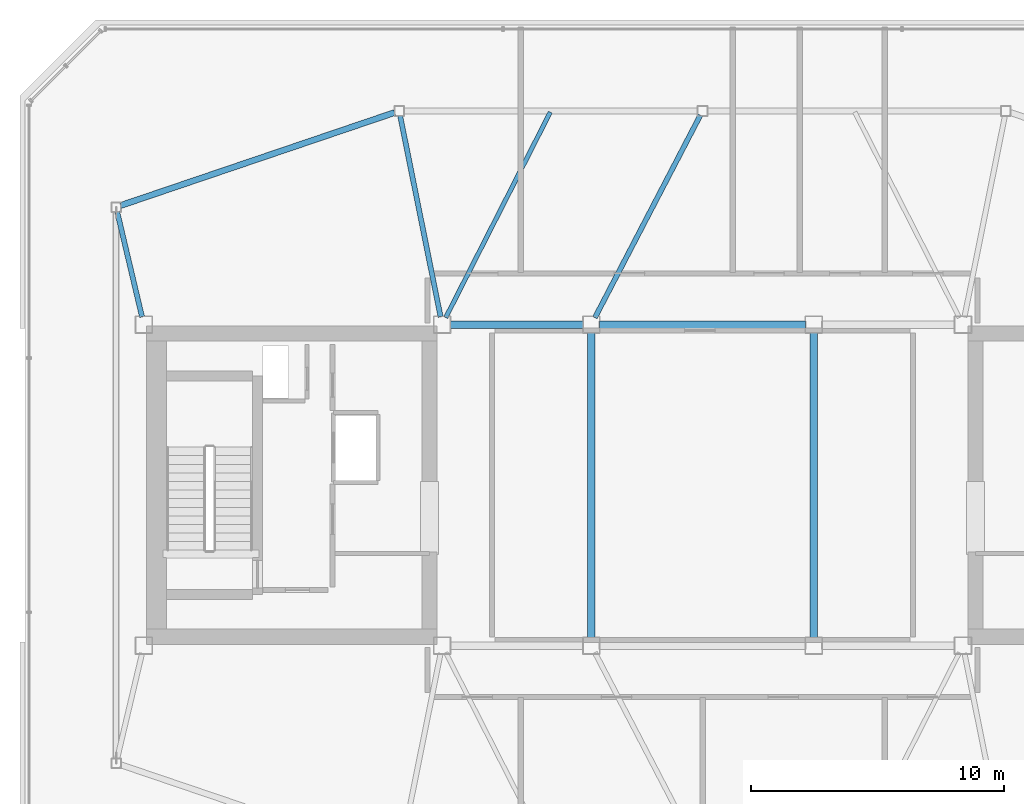
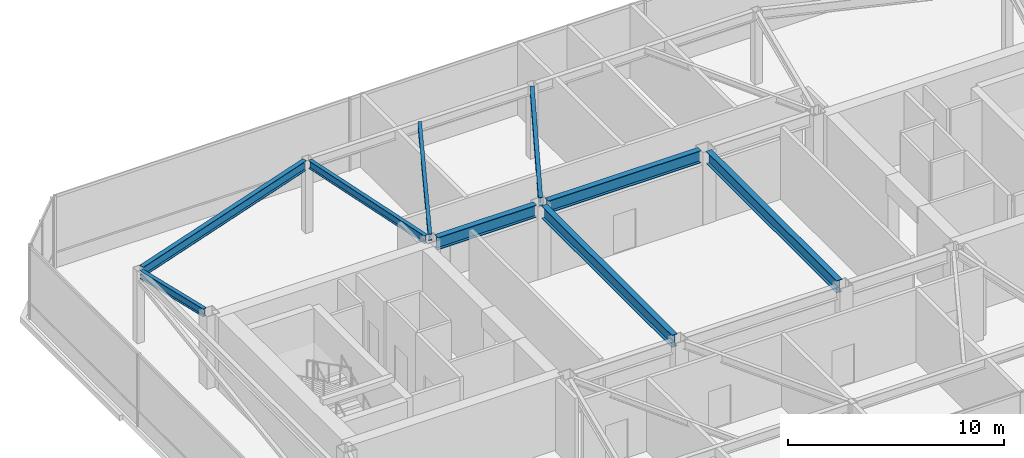
# One storey, part 7 of 22: 9 beams.
"""IFC4 building model written with IfcOpenShell, lengths in metres."""

from ifc_helpers import new_model, si_unit, direction, frame, origin, origin_2d, place, context, subcontext, project, spatial, i_section, extrude, material, material_profile, profile_set, type_object, element, save


model = new_model("IFC4")

# Units and contexts
model_context = context("Model", 3, precision=1e-05, world=origin(), true_north=direction((0.0, 1.0)))
body_context = subcontext(model_context, "Body", "Model", "MODEL_VIEW")
ifc_project = project(units=[si_unit("LENGTHUNIT", "METRE"), si_unit("AREAUNIT", "SQUARE_METRE"), si_unit("VOLUMEUNIT", "CUBIC_METRE"), si_unit("PLANEANGLEUNIT", "RADIAN"), si_unit("MASSUNIT", "GRAM", prefix="KILO")], contexts=[model_context])

# Site, building, storey
site_placement = place(None, origin())
site = spatial("IfcSite", under=ifc_project, at=site_placement, CompositionType="ELEMENT")
building_placement = place(site_placement, origin())
building = spatial("IfcBuilding", under=site, at=building_placement, Name="Tavrogorsk Clinical Tower", CompositionType="ELEMENT")
storey_placement = place(building_placement, frame((0.0, 0.0, 339.800048828125)))
storey = spatial("IfcBuildingStorey", under=building, at=storey_placement, Name="L79", CompositionType="ELEMENT", Elevation=339.800048828125)

# Beams
ifc_material_1 = material(Name="Structural steel S355", Category="steel")
ifc_material_profile_1 = material_profile(ifc_material_1, i_section(OverallWidth=0.199951171875, OverallDepth=0.449951171875, WebThickness=0.011474609375, FlangeThickness=0.01806640625, at=origin_2d()), Name="B-450x200x11.5x18")
ifc_profile_set_1 = profile_set([ifc_material_profile_1], Name="Structural steel S355")
beam_type_1 = type_object("IfcBeamType", Name="FloorBeam_B450", PredefinedType="BEAM", material=ifc_profile_set_1)
beam_1_placement = place(storey_placement, frame((-4.2568359375, 6.625, 3.875), z_axis=(0.461855081218, 0.886955401332, 0.0), x_axis=(-0.886955401332, 0.461855081218, 0.0)))
element("IfcBeam", 1, at=beam_1_placement, inside=storey, type_object=beam_type_1, Name="L79 Crown Radial Beam 07", PredefinedType="BEAM", context=body_context, shape_type="SweptSolid", body=[
    extrude(i_section(OverallWidth=0.199951171875, OverallDepth=0.449951171875, WebThickness=0.011474609375, FlangeThickness=0.01806640625, at=origin_2d()), origin(), (0.0, 0.0, 1.0), 9.027099609375),
])
beam_2_placement = place(storey_placement, frame((-10.361083984375, 6.65380859375, 3.875), z_axis=(-0.197249355273, 0.980353350504, 0.0), x_axis=(-0.980353350504, -0.197249355273, 0.0)))
element("IfcBeam", 2, at=beam_2_placement, inside=storey, type_object=beam_type_1, Name="L79 Crown Radial Beam 08", PredefinedType="BEAM", context=body_context, shape_type="SweptSolid", body=[
    extrude(i_section(OverallWidth=0.199951171875, OverallDepth=0.449951171875, WebThickness=0.011474609375, FlangeThickness=0.01806640625, at=origin_2d()), origin(), (0.0, 0.0, 1.0), 8.119384765625),
])
beam_3_placement = place(storey_placement, frame((-22.17138671875, 6.651611328125, 3.875), z_axis=(-0.230190528398, 0.973145580392, 0.0), x_axis=(-0.973145580392, -0.230190528398, 0.0)))
element("IfcBeam", 3, at=beam_3_placement, inside=storey, type_object=beam_type_1, Name="L79 Crown Radial Beam 09", PredefinedType="BEAM", context=body_context, shape_type="SweptSolid", body=[
    extrude(i_section(OverallWidth=0.199951171875, OverallDepth=0.449951171875, WebThickness=0.011474609375, FlangeThickness=0.01806640625, at=origin_2d()), origin(), (0.0, 0.0, 1.0), 4.278564453125),
])
ifc_material_2 = material(Name="Structural steel S390", Category="steel")
ifc_material_profile_2 = material_profile(ifc_material_2, i_section(OverallWidth=0.300048828125, OverallDepth=0.699951171875, WebThickness=0.01708984375, FlangeThickness=0.028076171875, at=origin_2d()), Name="B-700x300x17x28")
ifc_profile_set_2 = profile_set([ifc_material_profile_2], Name="Structural steel S390")
beam_type_2 = type_object("IfcBeamType", Name="PrimaryGirder_B700", PredefinedType="USERDEFINED", material=ifc_profile_set_2)
beam_4_placement = place(storey_placement, frame((-9.989990234375, 6.35009765625, 3.75), z_axis=(1.0, 0.0, 0.0), x_axis=(0.0, 1.0, 0.0)))
element("IfcBeam", 4, at=beam_4_placement, inside=storey, type_object=beam_type_2, Name="L79 Primary Spine Girder MG-02", ObjectType="GIRDER", PredefinedType="USERDEFINED", context=body_context, shape_type="SweptSolid", body=[
    extrude(i_section(OverallWidth=0.300048828125, OverallDepth=0.699951171875, WebThickness=0.01708984375, FlangeThickness=0.028076171875, at=origin_2d()), origin(), (0.0, 0.0, 1.0), 5.280029296875),
])
beam_5_placement = place(storey_placement, frame((-4.090087890625, 6.35009765625, 3.75), z_axis=(1.0, 0.0, 0.0), x_axis=(0.0, 1.0, 0.0)))
element("IfcBeam", 5, at=beam_5_placement, inside=storey, type_object=beam_type_2, Name="L79 Primary Spine Girder MG-04", ObjectType="GIRDER", PredefinedType="USERDEFINED", context=body_context, shape_type="SweptSolid", body=[
    extrude(i_section(OverallWidth=0.300048828125, OverallDepth=0.699951171875, WebThickness=0.01708984375, FlangeThickness=0.028076171875, at=origin_2d()), origin(), (0.0, 0.0, 1.0), 8.18017578125),
])
for number, where, z_axis, x_axis, name in (
    (6, (-4.39990234375, -6.0400390625, 3.75), (0.0, 1.0, 0.0), (-1.0, 0.0, 0.0), "L79 Primary Spine Girder MG-07"),
    (7, (4.39990234375, -6.0400390625, 3.75), (0.0, 1.0, 0.0), (-1.0, 0.0, 0.0), "L79 Primary Spine Girder MG-08"),
):
    element("IfcBeam", number, at=place(storey_placement, frame(where, z_axis=z_axis, x_axis=x_axis)), inside=storey, type_object=beam_type_2, Name=name, ObjectType="GIRDER", PredefinedType="USERDEFINED", context=body_context, shape_type="SweptSolid", body=[
        extrude(i_section(OverallWidth=0.300048828125, OverallDepth=0.699951171875, WebThickness=0.01708984375, FlangeThickness=0.028076171875, at=origin_2d()), origin(), (0.0, 0.0, 1.0), 12.080078125),
    ])
ifc_material_3 = material(Name="Structural steel S355", Category="steel")
ifc_material_profile_3 = material_profile(ifc_material_3, i_section(OverallWidth=0.175048828125, OverallDepth=0.35009765625, WebThickness=0.009521484375, FlangeThickness=0.013916015625, at=origin_2d()), Name="B-350x175x9.5x14")
ifc_profile_set_3 = profile_set([ifc_material_profile_3], Name="Structural steel S355")
beam_type_3 = type_object("IfcBeamType", Name="SecondaryJoist_B350", PredefinedType="JOIST", material=ifc_profile_set_3)
beam_6_placement = place(storey_placement, frame((-10.159423828125, 6.626220703125, 3.925048828125), z_axis=(0.4535299827, 0.891241019474, 0.0), x_axis=(-0.891241019474, 0.4535299827, 0.0)))
element("IfcBeam", 8, at=beam_6_placement, inside=storey, type_object=beam_type_3, Name="L79 Crown Secondary Joist 03", PredefinedType="JOIST", context=body_context, shape_type="SweptSolid", body=[
    extrude(i_section(OverallWidth=0.175048828125, OverallDepth=0.35009765625, WebThickness=0.009521484375, FlangeThickness=0.013916015625, at=origin_2d()), origin(), (0.0, 0.0, 1.0), 9.12109375),
])
ifc_material_4 = material(Name="Structural steel S390", Category="steel")
ifc_material_profile_4 = material_profile(ifc_material_4, i_section(OverallWidth=0.239990234375, OverallDepth=0.550048828125, WebThickness=0.013916015625, FlangeThickness=0.02197265625, at=origin_2d()), Name="B-550x240x14x22")
ifc_profile_set_4 = profile_set([ifc_material_profile_4], Name="Structural steel S390")
beam_type_4 = type_object("IfcBeamType", Name="SpandrelBeam_B550", PredefinedType="SPANDREL", material=ifc_profile_set_4)
beam_7_placement = place(storey_placement, frame((-12.179931640625, 14.739013671875, 3.824951171875), z_axis=(-0.946976266831, -0.321303517034, 0.0), x_axis=(0.321303517034, -0.946976266831, 0.0)))
element("IfcBeam", 9, at=beam_7_placement, inside=storey, type_object=beam_type_4, Name="L79 Crown Spandrel Beam 08", PredefinedType="SPANDREL", context=body_context, shape_type="SweptSolid", body=[
    extrude(i_section(OverallWidth=0.239990234375, OverallDepth=0.550048828125, WebThickness=0.013916015625, FlangeThickness=0.02197265625, at=origin_2d()), origin(), (0.0, 0.0, 1.0), 11.447021484375),
])

save(model, "model.ifc")
